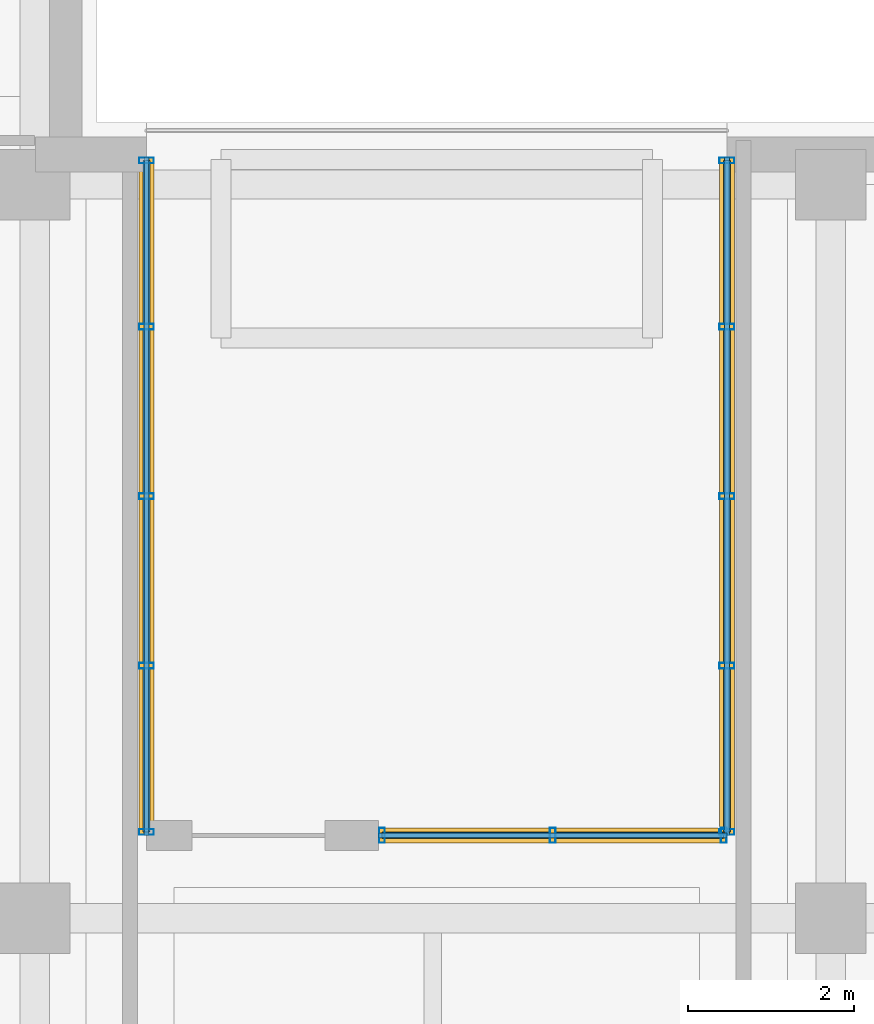
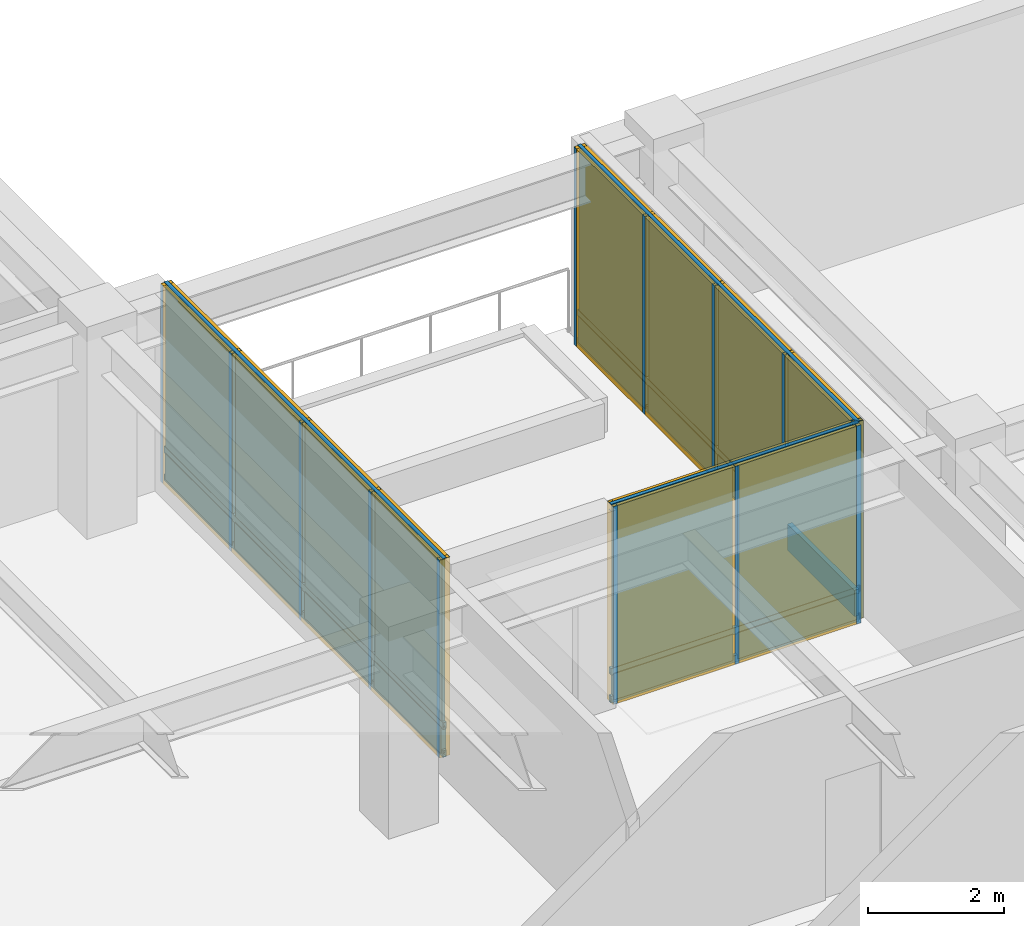
# One storey, part 9 of 14: 22 members, 20 plates, 3 curtain walls.
"""IFC4 building model written with IfcOpenShell, lengths in metres."""

import ifcopenshell
import ifcopenshell.guid

model = None  # the IFC model being written
_history = None  # IfcOwnerHistory: only IFC2X3 demands one
_inside = {}  # id of a spatial element -> (the spatial element, [elements in it])
_under = {}  # id of a project, library or spatial element -> (it, [spatial elements below it])
_declared = {}  # id of a project -> (the project, [libraries it declares])
_typed = {}  # id of a type object -> (the type object, [elements of that type])
_made_of = {}  # id of a material, layer set ... -> (it, [elements and type objects made of it])


def new_model(schema):
    """Start an empty IFC model of exactly this schema.

    Asked for "IFC4X3", IfcOpenShell would pick the latest addendum, in which some entities
    have other attributes; the version numbers below select the first issue.
    IFC2X3 requires an IfcOwnerHistory on every rooted entity: one is made here for all.
    """
    global model, _history
    if schema == "IFC4X3":
        model = ifcopenshell.file(schema_version=(4, 3, 0, 0))
    else:
        model = ifcopenshell.file(schema=schema)
    _inside.clear()
    _under.clear()
    _declared.clear()
    _typed.clear()
    _made_of.clear()
    _history = None
    if model.schema == "IFC2X3":
        org = make("IfcOrganization", Name="unknown")
        user = make(
            "IfcPersonAndOrganization",
            ThePerson=make("IfcPerson", FamilyName="unknown"),
            TheOrganization=org,
        )
        app = make(
            "IfcApplication",
            ApplicationDeveloper=org,
            Version="unknown",
            ApplicationFullName="unknown",
            ApplicationIdentifier="unknown",
        )
        _history = make(
            "IfcOwnerHistory",
            OwningUser=user,
            OwningApplication=app,
            ChangeAction="ADDED",
            CreationDate=0,
        )
    return model


def make(cls, **values):
    """One entity of the class cls with the attributes given. An attribute that is None is left unset."""
    return model.create_entity(
        cls, **{name: value for name, value in values.items() if value is not None}
    )


def rooted(cls, **values):
    """An entity with a GlobalId (a new one), such as an element, a storey or a relation."""
    return make(cls, GlobalId=ifcopenshell.guid.new(), OwnerHistory=_history, **values)


def si_unit(unit_type, name, prefix=None):
    """IfcSIUnit, for example si_unit("LENGTHUNIT", "METRE", prefix="MILLI")."""
    return make("IfcSIUnit", UnitType=unit_type, Prefix=prefix, Name=name)


def assignment(units):
    """IfcUnitAssignment: the units of a project."""
    return None if units is None else make("IfcUnitAssignment", Units=units)


def point(xyz):
    """IfcCartesianPoint."""
    return None if xyz is None else make("IfcCartesianPoint", Coordinates=xyz)


def direction(xyz):
    """IfcDirection."""
    return None if xyz is None else make("IfcDirection", DirectionRatios=xyz)


def frame(location, z_axis=None, x_axis=None):
    """IfcAxis2Placement3D, a coordinate frame: its origin and axes. An axis left out is left unset."""
    return make(
        "IfcAxis2Placement3D",
        Location=point(location),
        Axis=direction(z_axis),
        RefDirection=direction(x_axis),
    )


def frame_2d(location, x_axis=None):
    """IfcAxis2Placement2D, a coordinate frame in the plane: its origin and x axis."""
    return make(
        "IfcAxis2Placement2D", Location=point(location), RefDirection=direction(x_axis)
    )


def origin():
    """The frame at (0, 0, 0) with its axes left unset."""
    return frame((0.0, 0.0, 0.0))


def origin_2d():
    """The frame at (0, 0) in the plane with its x axis left unset."""
    return frame_2d((0.0, 0.0))


def place(relative_to, where):
    """IfcLocalPlacement: puts the frame where relative to a parent placement (None: the world)."""
    return make(
        "IfcLocalPlacement", PlacementRelTo=relative_to, RelativePlacement=where
    )


def context(
    kind, dimensions, precision=None, world=None, true_north=None, identifier=None
):
    """IfcGeometricRepresentationContext, for example the 3D "Model" context."""
    return make(
        "IfcGeometricRepresentationContext",
        ContextIdentifier=identifier,
        ContextType=kind,
        CoordinateSpaceDimension=dimensions,
        Precision=precision,
        WorldCoordinateSystem=world,
        TrueNorth=true_north,
    )


def subcontext(parent, identifier, kind, view, scale=None):
    """IfcGeometricRepresentationSubContext, for example "Body" below "Model"."""
    return make(
        "IfcGeometricRepresentationSubContext",
        ContextIdentifier=identifier,
        ContextType=kind,
        ParentContext=parent,
        TargetScale=scale,
        TargetView=view,
    )


def project(units=None, contexts=None):
    """IfcProject with its units and contexts."""
    return rooted(
        "IfcProject",
        Name="project",
        RepresentationContexts=contexts,
        UnitsInContext=assignment(units),
    )


def spatial(cls, under=None, at=None, **own):
    """A site, building, storey or space (cls), placed at a placement, below another one or the project."""
    s = rooted(cls, ObjectPlacement=at, **own)
    if under is not None:
        _under.setdefault(under.id(), (under, []))[1].append(s)
    return s


def profile(cls, at=None, kind="AREA", **sizes):
    """A parametric profile (cls). Its sizes go by their IFC names, for example OverallWidth=200.0."""
    return make(cls, ProfileType=kind, Position=at, **sizes)


def rectangle(**sizes):
    """IfcRectangleProfileDef."""
    return profile("IfcRectangleProfileDef", **sizes)


def hollow_rectangle(**sizes):
    """IfcRectangleHollowProfileDef."""
    return profile("IfcRectangleHollowProfileDef", **sizes)


def extrude(swept, where, along, depth):
    """IfcExtrudedAreaSolid: the profile swept, set in the frame where, extruded along a direction by depth."""
    return make(
        "IfcExtrudedAreaSolid",
        SweptArea=swept,
        Position=where,
        ExtrudedDirection=direction(along),
        Depth=depth,
    )


def shape(context_of_items, identifier, shape_type, items):
    """IfcShapeRepresentation: the items that make up one representation, for example the "Body"."""
    return make(
        "IfcShapeRepresentation",
        ContextOfItems=context_of_items,
        RepresentationIdentifier=identifier,
        RepresentationType=shape_type,
        Items=items,
    )


def material(Name=None, Category=None):
    """IfcMaterial."""
    return make("IfcMaterial", Name=Name, Category=Category)


def layer(
    of_material, thickness, ventilated=None, Name=None, Category=None, Priority=None
):
    """IfcMaterialLayer: one layer of a wall or slab, of a material (None: an air gap)."""
    return make(
        "IfcMaterialLayer",
        Material=of_material,
        LayerThickness=thickness,
        IsVentilated=ventilated,
        Name=Name,
        Category=Category,
        Priority=Priority,
    )


def layer_set(layers, Name=None):
    """IfcMaterialLayerSet."""
    return make("IfcMaterialLayerSet", MaterialLayers=layers, LayerSetName=Name)


def material_profile(
    of_material, cross_section, Name=None, Category=None, Priority=None
):
    """IfcMaterialProfile: a cross section and its material."""
    return make(
        "IfcMaterialProfile",
        Name=Name,
        Material=of_material,
        Profile=cross_section,
        Priority=Priority,
        Category=Category,
    )


def profile_set(profiles, Name=None, composite=None):
    """IfcMaterialProfileSet."""
    return make(
        "IfcMaterialProfileSet",
        Name=Name,
        MaterialProfiles=profiles,
        CompositeProfile=composite,
    )


def made_of(thing, what):
    """Note that an element or type object is made of a material, layer set ...; save() writes the relation."""
    if what is not None:
        _made_of.setdefault(what.id(), (what, []))[1].append(thing)
    return thing


def type_object(cls, material=None, **own):
    """A type object (cls), such as IfcWallType, which elements share."""
    return made_of(rooted(cls, **own), material)


def element(
    cls,
    number,
    at=None,
    inside=None,
    cuts=None,
    type_object=None,
    material=None,
    context=None,
    identifier="Body",
    shape_type=None,
    held_by="IfcProductDefinitionShape",
    body=None,
    shapes=None,
    **own,
):
    """One element of the class cls, such as IfcWall. Its Tag is "e" and its number.

    at: its placement. inside: the storey or other place that contains it. cuts: it is an
    opening in that element (IfcRelVoidsElement). A single representation is given by context,
    identifier, shape_type and body (its items); several are given by shapes. held_by: the class
    of the entity that holds the representations. save() writes the other relations.
    """
    e = rooted(cls, Tag="e%d" % number, ObjectPlacement=at, **own)
    if body is not None:
        shapes = [shape(context, identifier, shape_type, body)]
    if shapes is not None:
        e.Representation = make(held_by, Representations=shapes)
    if inside is not None:
        _inside.setdefault(inside.id(), (inside, []))[1].append(e)
    if cuts is not None:
        rooted(
            "IfcRelVoidsElement", RelatingBuildingElement=cuts, RelatedOpeningElement=e
        )
    if type_object is not None:
        _typed.setdefault(type_object.id(), (type_object, []))[1].append(e)
    return made_of(e, material)


def aggregate(whole, parts):
    """IfcRelAggregates: a whole, such as a stair, and the parts it consists of."""
    return rooted("IfcRelAggregates", RelatingObject=whole, RelatedObjects=parts)


def save(model, path):
    """Write the relations noted so far, then the file.

    IfcRelAggregates (storeys below a building ...), IfcRelContainedInSpatialStructure (elements
    in a storey), IfcRelDefinesByType, IfcRelAssociatesMaterial and IfcRelDeclares: one each for
    every whole, place, type object, material and project.
    """
    for whole, parts in _under.values():
        aggregate(whole, parts)
    for where, things in _inside.values():
        rooted(
            "IfcRelContainedInSpatialStructure",
            RelatedElements=things,
            RelatingStructure=where,
        )
    for kind, things in _typed.values():
        rooted("IfcRelDefinesByType", RelatedObjects=things, RelatingType=kind)
    for what, things in _made_of.values():
        rooted("IfcRelAssociatesMaterial", RelatedObjects=things, RelatingMaterial=what)
    for by, libraries in _declared.values():
        rooted("IfcRelDeclares", RelatingContext=by, RelatedDefinitions=libraries)
    model.write(path)


model = new_model("IFC4")

# Units and contexts
model_context = context("Model", 3, precision=1e-05, world=origin(), true_north=direction((0.0, 1.0)))
body_context = subcontext(model_context, "Body", "Model", "MODEL_VIEW")
ifc_project = project(units=[si_unit("LENGTHUNIT", "METRE"), si_unit("AREAUNIT", "SQUARE_METRE"), si_unit("VOLUMEUNIT", "CUBIC_METRE"), si_unit("PLANEANGLEUNIT", "RADIAN"), si_unit("MASSUNIT", "GRAM", prefix="KILO")], contexts=[model_context])

# Member
ifc_material_1 = material(Name="Anodized Aluminium 6063-T6", Category="aluminium")
ifc_material_profile_1 = material_profile(ifc_material_1, hollow_rectangle(XDim=0.070068359375, YDim=0.179931640625, WallThickness=0.00390625, at=origin_2d()), Name="Anodized Aluminium 6063-T6")
ifc_profile_set_1 = profile_set([ifc_material_profile_1], Name="Anodized Aluminium 6063-T6")
member_type_1 = type_object("IfcMemberType", Name="Curtain Wall Mullion 180", PredefinedType="MULLION", material=ifc_profile_set_1)
site_placement = place(None, origin())
building_placement = place(site_placement, origin())
storey_placement = place(building_placement, frame((0.0, 0.0, 221.800048828125)))
member_1_placement = place(storey_placement, frame((39.0, 29.840087890625, 0.0), z_axis=(0.0, 0.0, 1.0), x_axis=(0.0, 1.0, 0.0)))
member_1 = element("IfcMember", 1, at=member_1_placement, type_object=member_type_1, Name="Curtain Wall Mullion CW-L56-SGW-M01", PredefinedType="MULLION", context=body_context, shape_type="SweptSolid", body=[
    extrude(hollow_rectangle(XDim=0.070068359375, YDim=0.179931640625, WallThickness=0.00390625, at=origin_2d()), origin(), (0.0, 0.0, 1.0), 3.5400390625),
])

member_2_placement = place(storey_placement, frame((39.0, 31.844970703125, 0.0), z_axis=(0.0, 0.0, 1.0), x_axis=(0.0, 1.0, 0.0)))
member_2 = element("IfcMember", 2, at=member_2_placement, type_object=member_type_1, Name="Curtain Wall Mullion CW-L56-SGW-M02", PredefinedType="MULLION", context=body_context, shape_type="SweptSolid", body=[
    extrude(hollow_rectangle(XDim=0.070068359375, YDim=0.179931640625, WallThickness=0.00390625, at=origin_2d()), origin(), (0.0, 0.0, 1.0), 3.5400390625),
])

member_3_placement = place(storey_placement, frame((39.0, 33.889892578125, 0.0), z_axis=(0.0, 0.0, 1.0), x_axis=(0.0, 1.0, 0.0)))
member_3 = element("IfcMember", 3, at=member_3_placement, type_object=member_type_1, Name="Curtain Wall Mullion CW-L56-SGW-M03", PredefinedType="MULLION", context=body_context, shape_type="SweptSolid", body=[
    extrude(hollow_rectangle(XDim=0.070068359375, YDim=0.179931640625, WallThickness=0.00390625, at=origin_2d()), origin(), (0.0, 0.0, 1.0), 3.5400390625),
])

member_4_placement = place(storey_placement, frame((39.0, 35.93505859375, 0.0), z_axis=(0.0, 0.0, 1.0), x_axis=(0.0, 1.0, 0.0)))
member_4 = element("IfcMember", 4, at=member_4_placement, type_object=member_type_1, Name="Curtain Wall Mullion CW-L56-SGW-M04", PredefinedType="MULLION", context=body_context, shape_type="SweptSolid", body=[
    extrude(hollow_rectangle(XDim=0.070068359375, YDim=0.179931640625, WallThickness=0.00390625, at=origin_2d()), origin(), (0.0, 0.0, 1.0), 3.5400390625),
])

member_5_placement = place(storey_placement, frame((39.0, 37.93994140625, 0.0), z_axis=(0.0, 0.0, 1.0), x_axis=(0.0, 1.0, 0.0)))
member_5 = element("IfcMember", 5, at=member_5_placement, type_object=member_type_1, Name="Curtain Wall Mullion CW-L56-SGW-M05", PredefinedType="MULLION", context=body_context, shape_type="SweptSolid", body=[
    extrude(hollow_rectangle(XDim=0.070068359375, YDim=0.179931640625, WallThickness=0.00390625, at=origin_2d()), origin(), (0.0, 0.0, 1.0), 3.5400390625),
])

member_6_placement = place(storey_placement, frame((46.0, 29.840087890625, 0.0), z_axis=(0.0, 0.0, 1.0), x_axis=(0.0, 1.0, 0.0)))
member_6 = element("IfcMember", 6, at=member_6_placement, type_object=member_type_1, Name="Curtain Wall Mullion CW-L56-SGE-M01", PredefinedType="MULLION", context=body_context, shape_type="SweptSolid", body=[
    extrude(hollow_rectangle(XDim=0.070068359375, YDim=0.179931640625, WallThickness=0.00390625, at=origin_2d()), origin(), (0.0, 0.0, 1.0), 3.5400390625),
])

member_7_placement = place(storey_placement, frame((46.0, 31.844970703125, 0.0), z_axis=(0.0, 0.0, 1.0), x_axis=(0.0, 1.0, 0.0)))
member_7 = element("IfcMember", 7, at=member_7_placement, type_object=member_type_1, Name="Curtain Wall Mullion CW-L56-SGE-M02", PredefinedType="MULLION", context=body_context, shape_type="SweptSolid", body=[
    extrude(hollow_rectangle(XDim=0.070068359375, YDim=0.179931640625, WallThickness=0.00390625, at=origin_2d()), origin(), (0.0, 0.0, 1.0), 3.5400390625),
])

member_8_placement = place(storey_placement, frame((46.0, 33.889892578125, 0.0), z_axis=(0.0, 0.0, 1.0), x_axis=(0.0, 1.0, 0.0)))
member_8 = element("IfcMember", 8, at=member_8_placement, type_object=member_type_1, Name="Curtain Wall Mullion CW-L56-SGE-M03", PredefinedType="MULLION", context=body_context, shape_type="SweptSolid", body=[
    extrude(hollow_rectangle(XDim=0.070068359375, YDim=0.179931640625, WallThickness=0.00390625, at=origin_2d()), origin(), (0.0, 0.0, 1.0), 3.5400390625),
])

member_9_placement = place(storey_placement, frame((46.0, 35.93505859375, 0.0), z_axis=(0.0, 0.0, 1.0), x_axis=(0.0, 1.0, 0.0)))
member_9 = element("IfcMember", 9, at=member_9_placement, type_object=member_type_1, Name="Curtain Wall Mullion CW-L56-SGE-M04", PredefinedType="MULLION", context=body_context, shape_type="SweptSolid", body=[
    extrude(hollow_rectangle(XDim=0.070068359375, YDim=0.179931640625, WallThickness=0.00390625, at=origin_2d()), origin(), (0.0, 0.0, 1.0), 3.5400390625),
])

member_10_placement = place(storey_placement, frame((46.0, 37.93994140625, 0.0), z_axis=(0.0, 0.0, 1.0), x_axis=(0.0, 1.0, 0.0)))
member_10 = element("IfcMember", 10, at=member_10_placement, type_object=member_type_1, Name="Curtain Wall Mullion CW-L56-SGE-M05", PredefinedType="MULLION", context=body_context, shape_type="SweptSolid", body=[
    extrude(hollow_rectangle(XDim=0.070068359375, YDim=0.179931640625, WallThickness=0.00390625, at=origin_2d()), origin(), (0.0, 0.0, 1.0), 3.5400390625),
])

member_11_placement = place(storey_placement, frame((41.840087890625, 29.800048828125, 0.0), z_axis=(0.0, 0.0, 1.0), x_axis=(1.0, 0.0, 0.0)))
member_11 = element("IfcMember", 11, at=member_11_placement, type_object=member_type_1, Name="Curtain Wall Mullion CW-L56-SGS-M01", PredefinedType="MULLION", context=body_context, shape_type="SweptSolid", body=[
    extrude(hollow_rectangle(XDim=0.070068359375, YDim=0.179931640625, WallThickness=0.00390625, at=origin_2d()), origin(), (0.0, 0.0, 1.0), 3.5400390625),
])

member_12_placement = place(storey_placement, frame((43.89990234375, 29.800048828125, 0.0), z_axis=(0.0, 0.0, 1.0), x_axis=(1.0, 0.0, 0.0)))
member_12 = element("IfcMember", 12, at=member_12_placement, type_object=member_type_1, Name="Curtain Wall Mullion CW-L56-SGS-M02", PredefinedType="MULLION", context=body_context, shape_type="SweptSolid", body=[
    extrude(hollow_rectangle(XDim=0.070068359375, YDim=0.179931640625, WallThickness=0.00390625, at=origin_2d()), origin(), (0.0, 0.0, 1.0), 3.5400390625),
])

member_13_placement = place(storey_placement, frame((45.9599609375, 29.800048828125, 0.0), z_axis=(0.0, 0.0, 1.0), x_axis=(1.0, 0.0, 0.0)))
member_13 = element("IfcMember", 13, at=member_13_placement, type_object=member_type_1, Name="Curtain Wall Mullion CW-L56-SGS-M03", PredefinedType="MULLION", context=body_context, shape_type="SweptSolid", body=[
    extrude(hollow_rectangle(XDim=0.070068359375, YDim=0.179931640625, WallThickness=0.00390625, at=origin_2d()), origin(), (0.0, 0.0, 1.0), 3.5400390625),
])

ifc_material_profile_2 = material_profile(ifc_material_1, hollow_rectangle(XDim=0.06005859375, YDim=0.1201171875, WallThickness=0.00341796875, at=origin_2d()), Name="Anodized Aluminium 6063-T6")
ifc_profile_set_2 = profile_set([ifc_material_profile_2], Name="Anodized Aluminium 6063-T6")
member_type_2 = type_object("IfcMemberType", Name="Curtain Wall Transom 120", PredefinedType="USERDEFINED", material=ifc_profile_set_2)
member_14_placement = place(storey_placement, frame((39.0, 29.800048828125, 0.050048828125), z_axis=(0.0, 1.0, 0.0), x_axis=(-1.0, 0.0, 0.0)))
member_14 = element("IfcMember", 14, at=member_14_placement, type_object=member_type_2, Name="Curtain Wall Transom CW-L56-SGW-T01", ObjectType="TRANSOM", PredefinedType="USERDEFINED", context=body_context, shape_type="SweptSolid", body=[
    extrude(hollow_rectangle(XDim=0.06005859375, YDim=0.1201171875, WallThickness=0.00341796875, at=origin_2d()), origin(), (0.0, 0.0, 1.0), 8.179931640625),
])

member_15_placement = place(storey_placement, frame((39.0, 29.800048828125, 0.550048828125), z_axis=(0.0, 1.0, 0.0), x_axis=(-1.0, 0.0, 0.0)))
member_15 = element("IfcMember", 15, at=member_15_placement, type_object=member_type_2, Name="Curtain Wall Transom CW-L56-SGW-T02", ObjectType="TRANSOM", PredefinedType="USERDEFINED", context=body_context, shape_type="SweptSolid", body=[
    extrude(hollow_rectangle(XDim=0.06005859375, YDim=0.1201171875, WallThickness=0.00341796875, at=origin_2d()), origin(), (0.0, 0.0, 1.0), 8.179931640625),
])

member_16_placement = place(storey_placement, frame((39.0, 29.800048828125, 3.489990234375), z_axis=(0.0, 1.0, 0.0), x_axis=(-1.0, 0.0, 0.0)))
member_16 = element("IfcMember", 16, at=member_16_placement, type_object=member_type_2, Name="Curtain Wall Transom CW-L56-SGW-T03", ObjectType="TRANSOM", PredefinedType="USERDEFINED", context=body_context, shape_type="SweptSolid", body=[
    extrude(hollow_rectangle(XDim=0.06005859375, YDim=0.1201171875, WallThickness=0.00341796875, at=origin_2d()), origin(), (0.0, 0.0, 1.0), 8.179931640625),
])

member_17_placement = place(storey_placement, frame((46.0, 29.800048828125, 0.050048828125), z_axis=(0.0, 1.0, 0.0), x_axis=(-1.0, 0.0, 0.0)))
member_17 = element("IfcMember", 17, at=member_17_placement, type_object=member_type_2, Name="Curtain Wall Transom CW-L56-SGE-T01", ObjectType="TRANSOM", PredefinedType="USERDEFINED", context=body_context, shape_type="SweptSolid", body=[
    extrude(hollow_rectangle(XDim=0.06005859375, YDim=0.1201171875, WallThickness=0.00341796875, at=origin_2d()), origin(), (0.0, 0.0, 1.0), 8.179931640625),
])

member_18_placement = place(storey_placement, frame((46.0, 29.800048828125, 0.550048828125), z_axis=(0.0, 1.0, 0.0), x_axis=(-1.0, 0.0, 0.0)))
member_18 = element("IfcMember", 18, at=member_18_placement, type_object=member_type_2, Name="Curtain Wall Transom CW-L56-SGE-T02", ObjectType="TRANSOM", PredefinedType="USERDEFINED", context=body_context, shape_type="SweptSolid", body=[
    extrude(hollow_rectangle(XDim=0.06005859375, YDim=0.1201171875, WallThickness=0.00341796875, at=origin_2d()), origin(), (0.0, 0.0, 1.0), 8.179931640625),
])

member_19_placement = place(storey_placement, frame((46.0, 29.800048828125, 3.489990234375), z_axis=(0.0, 1.0, 0.0), x_axis=(-1.0, 0.0, 0.0)))
member_19 = element("IfcMember", 19, at=member_19_placement, type_object=member_type_2, Name="Curtain Wall Transom CW-L56-SGE-T03", ObjectType="TRANSOM", PredefinedType="USERDEFINED", context=body_context, shape_type="SweptSolid", body=[
    extrude(hollow_rectangle(XDim=0.06005859375, YDim=0.1201171875, WallThickness=0.00341796875, at=origin_2d()), origin(), (0.0, 0.0, 1.0), 8.179931640625),
])

member_20_placement = place(storey_placement, frame((41.800048828125, 29.800048828125, 0.050048828125), z_axis=(1.0, 0.0, 0.0), x_axis=(0.0, 1.0, 0.0)))
member_20 = element("IfcMember", 20, at=member_20_placement, type_object=member_type_2, Name="Curtain Wall Transom CW-L56-SGS-T01", ObjectType="TRANSOM", PredefinedType="USERDEFINED", context=body_context, shape_type="SweptSolid", body=[
    extrude(hollow_rectangle(XDim=0.06005859375, YDim=0.1201171875, WallThickness=0.00341796875, at=origin_2d()), origin(), (0.0, 0.0, 1.0), 4.199951171875),
])

member_21_placement = place(storey_placement, frame((41.800048828125, 29.800048828125, 0.550048828125), z_axis=(1.0, 0.0, 0.0), x_axis=(0.0, 1.0, 0.0)))
member_21 = element("IfcMember", 21, at=member_21_placement, type_object=member_type_2, Name="Curtain Wall Transom CW-L56-SGS-T02", ObjectType="TRANSOM", PredefinedType="USERDEFINED", context=body_context, shape_type="SweptSolid", body=[
    extrude(hollow_rectangle(XDim=0.06005859375, YDim=0.1201171875, WallThickness=0.00341796875, at=origin_2d()), origin(), (0.0, 0.0, 1.0), 4.199951171875),
])

member_22_placement = place(storey_placement, frame((41.800048828125, 29.800048828125, 3.489990234375), z_axis=(1.0, 0.0, 0.0), x_axis=(0.0, 1.0, 0.0)))
member_22 = element("IfcMember", 22, at=member_22_placement, type_object=member_type_2, Name="Curtain Wall Transom CW-L56-SGS-T03", ObjectType="TRANSOM", PredefinedType="USERDEFINED", context=body_context, shape_type="SweptSolid", body=[
    extrude(hollow_rectangle(XDim=0.06005859375, YDim=0.1201171875, WallThickness=0.00341796875, at=origin_2d()), origin(), (0.0, 0.0, 1.0), 4.199951171875),
])

# Plate
ifc_material_2 = material(Name="Bird-Friendly Fritted Triple Glazing", Category="glass")
ifc_layer_1 = layer(ifc_material_2, 0.052001953125, Name="Bird-Friendly Fritted Triple Glazing")
ifc_layer_set_1 = layer_set([ifc_layer_1], Name="Bird-Friendly Fritted Triple Glazing")
plate_type_1 = type_object("IfcPlateType", Name="Plate CWGlazing 52", PredefinedType="CURTAIN_PANEL", material=ifc_layer_set_1)
plate_1_placement = place(storey_placement, frame((39.0, 30.822509765625, 0.58984375), z_axis=(0.0, 0.0, 1.0), x_axis=(0.0, 1.0, 0.0)))
plate_1 = element("IfcPlate", 23, at=plate_1_placement, type_object=plate_type_1, Name="Vision Glazing Panel CW-L56-SGW-GL01", PredefinedType="CURTAIN_PANEL", context=body_context, shape_type="SweptSolid", body=[
    extrude(rectangle(XDim=1.965087890625, YDim=0.052001953125, at=origin_2d()), origin(), (0.0, 0.0, 1.0), 2.909912109375),
])

plate_2_placement = place(storey_placement, frame((39.0, 32.867431640625, 0.58984375), z_axis=(0.0, 0.0, 1.0), x_axis=(0.0, 1.0, 0.0)))
plate_2 = element("IfcPlate", 24, at=plate_2_placement, type_object=plate_type_1, Name="Vision Glazing Panel CW-L56-SGW-GL02", PredefinedType="CURTAIN_PANEL", context=body_context, shape_type="SweptSolid", body=[
    extrude(rectangle(XDim=1.965087890625, YDim=0.052001953125, at=origin_2d()), origin(), (0.0, 0.0, 1.0), 2.909912109375),
])

plate_3_placement = place(storey_placement, frame((39.0, 34.91259765625, 0.58984375), z_axis=(0.0, 0.0, 1.0), x_axis=(0.0, 1.0, 0.0)))
plate_3 = element("IfcPlate", 25, at=plate_3_placement, type_object=plate_type_1, Name="Vision Glazing Panel CW-L56-SGW-GL03", PredefinedType="CURTAIN_PANEL", context=body_context, shape_type="SweptSolid", body=[
    extrude(rectangle(XDim=1.965087890625, YDim=0.052001953125, at=origin_2d()), origin(), (0.0, 0.0, 1.0), 2.909912109375),
])

plate_4_placement = place(storey_placement, frame((39.0, 36.95751953125, 0.58984375), z_axis=(0.0, 0.0, 1.0), x_axis=(0.0, 1.0, 0.0)))
plate_4 = element("IfcPlate", 26, at=plate_4_placement, type_object=plate_type_1, Name="Vision Glazing Panel CW-L56-SGW-GL04", PredefinedType="CURTAIN_PANEL", context=body_context, shape_type="SweptSolid", body=[
    extrude(rectangle(XDim=1.965087890625, YDim=0.052001953125, at=origin_2d()), origin(), (0.0, 0.0, 1.0), 2.909912109375),
])

plate_5_placement = place(storey_placement, frame((46.0, 30.822509765625, 0.58984375), z_axis=(0.0, 0.0, 1.0), x_axis=(0.0, 1.0, 0.0)))
plate_5 = element("IfcPlate", 27, at=plate_5_placement, type_object=plate_type_1, Name="Vision Glazing Panel CW-L56-SGE-GL01", PredefinedType="CURTAIN_PANEL", context=body_context, shape_type="SweptSolid", body=[
    extrude(rectangle(XDim=1.965087890625, YDim=0.052001953125, at=origin_2d()), origin(), (0.0, 0.0, 1.0), 2.909912109375),
])

plate_6_placement = place(storey_placement, frame((46.0, 32.867431640625, 0.58984375), z_axis=(0.0, 0.0, 1.0), x_axis=(0.0, 1.0, 0.0)))
plate_6 = element("IfcPlate", 28, at=plate_6_placement, type_object=plate_type_1, Name="Vision Glazing Panel CW-L56-SGE-GL02", PredefinedType="CURTAIN_PANEL", context=body_context, shape_type="SweptSolid", body=[
    extrude(rectangle(XDim=1.965087890625, YDim=0.052001953125, at=origin_2d()), origin(), (0.0, 0.0, 1.0), 2.909912109375),
])

plate_7_placement = place(storey_placement, frame((46.0, 34.91259765625, 0.58984375), z_axis=(0.0, 0.0, 1.0), x_axis=(0.0, 1.0, 0.0)))
plate_7 = element("IfcPlate", 29, at=plate_7_placement, type_object=plate_type_1, Name="Vision Glazing Panel CW-L56-SGE-GL03", PredefinedType="CURTAIN_PANEL", context=body_context, shape_type="SweptSolid", body=[
    extrude(rectangle(XDim=1.965087890625, YDim=0.052001953125, at=origin_2d()), origin(), (0.0, 0.0, 1.0), 2.909912109375),
])

plate_8_placement = place(storey_placement, frame((46.0, 36.95751953125, 0.58984375), z_axis=(0.0, 0.0, 1.0), x_axis=(0.0, 1.0, 0.0)))
plate_8 = element("IfcPlate", 30, at=plate_8_placement, type_object=plate_type_1, Name="Vision Glazing Panel CW-L56-SGE-GL04", PredefinedType="CURTAIN_PANEL", context=body_context, shape_type="SweptSolid", body=[
    extrude(rectangle(XDim=1.965087890625, YDim=0.052001953125, at=origin_2d()), origin(), (0.0, 0.0, 1.0), 2.909912109375),
])

plate_9_placement = place(storey_placement, frame((42.85009765625, 29.800048828125, 0.58984375), z_axis=(0.0, 0.0, 1.0), x_axis=(1.0, 0.0, 0.0)))
plate_9 = element("IfcPlate", 31, at=plate_9_placement, type_object=plate_type_1, Name="Vision Glazing Panel CW-L56-SGS-GL01", PredefinedType="CURTAIN_PANEL", context=body_context, shape_type="SweptSolid", body=[
    extrude(rectangle(XDim=2.02001953125, YDim=0.052001953125, at=origin_2d()), origin(), (0.0, 0.0, 1.0), 2.909912109375),
])

plate_10_placement = place(storey_placement, frame((44.949951171875, 29.800048828125, 0.58984375), z_axis=(0.0, 0.0, 1.0), x_axis=(1.0, 0.0, 0.0)))
plate_10 = element("IfcPlate", 32, at=plate_10_placement, type_object=plate_type_1, Name="Vision Glazing Panel CW-L56-SGS-GL02", PredefinedType="CURTAIN_PANEL", context=body_context, shape_type="SweptSolid", body=[
    extrude(rectangle(XDim=2.02001953125, YDim=0.052001953125, at=origin_2d()), origin(), (0.0, 0.0, 1.0), 2.909912109375),
])

ifc_material_3 = material(Name="Insulated Aluminium Spandrel Panel", Category="aluminium")
ifc_layer_2 = layer(ifc_material_3, 0.080078125, Name="Insulated Aluminium Spandrel Panel")
ifc_layer_set_2 = layer_set([ifc_layer_2], Name="Insulated Aluminium Spandrel Panel")
plate_type_2 = type_object("IfcPlateType", Name="Plate CWSpandrel 80", PredefinedType="SHEET", material=ifc_layer_set_2)
plate_11_placement = place(storey_placement, frame((39.0, 30.822509765625, 0.0400390625), z_axis=(0.0, 0.0, 1.0), x_axis=(0.0, 1.0, 0.0)))
plate_11 = element("IfcPlate", 33, at=plate_11_placement, type_object=plate_type_2, Name="Spandrel Panel CW-L56-SGW-SP01", PredefinedType="SHEET", context=body_context, shape_type="SweptSolid", body=[
    extrude(rectangle(XDim=1.965087890625, YDim=0.080078125, at=origin_2d()), origin(), (0.0, 0.0, 1.0), 0.469970703125),
])

plate_12_placement = place(storey_placement, frame((39.0, 32.867431640625, 0.0400390625), z_axis=(0.0, 0.0, 1.0), x_axis=(0.0, 1.0, 0.0)))
plate_12 = element("IfcPlate", 34, at=plate_12_placement, type_object=plate_type_2, Name="Spandrel Panel CW-L56-SGW-SP02", PredefinedType="SHEET", context=body_context, shape_type="SweptSolid", body=[
    extrude(rectangle(XDim=1.965087890625, YDim=0.080078125, at=origin_2d()), origin(), (0.0, 0.0, 1.0), 0.469970703125),
])

plate_13_placement = place(storey_placement, frame((39.0, 34.91259765625, 0.0400390625), z_axis=(0.0, 0.0, 1.0), x_axis=(0.0, 1.0, 0.0)))
plate_13 = element("IfcPlate", 35, at=plate_13_placement, type_object=plate_type_2, Name="Spandrel Panel CW-L56-SGW-SP03", PredefinedType="SHEET", context=body_context, shape_type="SweptSolid", body=[
    extrude(rectangle(XDim=1.965087890625, YDim=0.080078125, at=origin_2d()), origin(), (0.0, 0.0, 1.0), 0.469970703125),
])

plate_14_placement = place(storey_placement, frame((39.0, 36.95751953125, 0.0400390625), z_axis=(0.0, 0.0, 1.0), x_axis=(0.0, 1.0, 0.0)))
plate_14 = element("IfcPlate", 36, at=plate_14_placement, type_object=plate_type_2, Name="Spandrel Panel CW-L56-SGW-SP04", PredefinedType="SHEET", context=body_context, shape_type="SweptSolid", body=[
    extrude(rectangle(XDim=1.965087890625, YDim=0.080078125, at=origin_2d()), origin(), (0.0, 0.0, 1.0), 0.469970703125),
])

plate_15_placement = place(storey_placement, frame((46.0, 30.822509765625, 0.0400390625), z_axis=(0.0, 0.0, 1.0), x_axis=(0.0, 1.0, 0.0)))
plate_15 = element("IfcPlate", 37, at=plate_15_placement, type_object=plate_type_2, Name="Spandrel Panel CW-L56-SGE-SP01", PredefinedType="SHEET", context=body_context, shape_type="SweptSolid", body=[
    extrude(rectangle(XDim=1.965087890625, YDim=0.080078125, at=origin_2d()), origin(), (0.0, 0.0, 1.0), 0.469970703125),
])

plate_16_placement = place(storey_placement, frame((46.0, 32.867431640625, 0.0400390625), z_axis=(0.0, 0.0, 1.0), x_axis=(0.0, 1.0, 0.0)))
plate_16 = element("IfcPlate", 38, at=plate_16_placement, type_object=plate_type_2, Name="Spandrel Panel CW-L56-SGE-SP02", PredefinedType="SHEET", context=body_context, shape_type="SweptSolid", body=[
    extrude(rectangle(XDim=1.965087890625, YDim=0.080078125, at=origin_2d()), origin(), (0.0, 0.0, 1.0), 0.469970703125),
])

plate_17_placement = place(storey_placement, frame((46.0, 34.91259765625, 0.0400390625), z_axis=(0.0, 0.0, 1.0), x_axis=(0.0, 1.0, 0.0)))
plate_17 = element("IfcPlate", 39, at=plate_17_placement, type_object=plate_type_2, Name="Spandrel Panel CW-L56-SGE-SP03", PredefinedType="SHEET", context=body_context, shape_type="SweptSolid", body=[
    extrude(rectangle(XDim=1.965087890625, YDim=0.080078125, at=origin_2d()), origin(), (0.0, 0.0, 1.0), 0.469970703125),
])

plate_18_placement = place(storey_placement, frame((46.0, 36.95751953125, 0.0400390625), z_axis=(0.0, 0.0, 1.0), x_axis=(0.0, 1.0, 0.0)))
plate_18 = element("IfcPlate", 40, at=plate_18_placement, type_object=plate_type_2, Name="Spandrel Panel CW-L56-SGE-SP04", PredefinedType="SHEET", context=body_context, shape_type="SweptSolid", body=[
    extrude(rectangle(XDim=1.965087890625, YDim=0.080078125, at=origin_2d()), origin(), (0.0, 0.0, 1.0), 0.469970703125),
])

plate_19_placement = place(storey_placement, frame((42.85009765625, 29.800048828125, 0.0400390625), z_axis=(0.0, 0.0, 1.0), x_axis=(1.0, 0.0, 0.0)))
plate_19 = element("IfcPlate", 41, at=plate_19_placement, type_object=plate_type_2, Name="Spandrel Panel CW-L56-SGS-SP01", PredefinedType="SHEET", context=body_context, shape_type="SweptSolid", body=[
    extrude(rectangle(XDim=2.02001953125, YDim=0.080078125, at=origin_2d()), origin(), (0.0, 0.0, 1.0), 0.469970703125),
])

plate_20_placement = place(storey_placement, frame((44.949951171875, 29.800048828125, 0.0400390625), z_axis=(0.0, 0.0, 1.0), x_axis=(1.0, 0.0, 0.0)))
plate_20 = element("IfcPlate", 42, at=plate_20_placement, type_object=plate_type_2, Name="Spandrel Panel CW-L56-SGS-SP02", PredefinedType="SHEET", context=body_context, shape_type="SweptSolid", body=[
    extrude(rectangle(XDim=2.02001953125, YDim=0.080078125, at=origin_2d()), origin(), (0.0, 0.0, 1.0), 0.469970703125),
])

# Site, building, storey
site = spatial("IfcSite", under=ifc_project, at=site_placement, CompositionType="ELEMENT")
building = spatial("IfcBuilding", under=site, at=building_placement, Name="Norrvale University Quadrangle", CompositionType="ELEMENT")
storey = spatial("IfcBuildingStorey", under=building, at=storey_placement, Name="L56", CompositionType="ELEMENT", Elevation=221.800048828125)

# Curtain wall
ifc_material_4 = material(Name="Anodized Aluminium and Triple Glazing", Category="glass")
curtain_wall_type = type_object("IfcCurtainWallType", Name="Curtain Wall System 2 Sky Garden", PredefinedType="NOTDEFINED", material=ifc_material_4)
curtain_wall_1_placement = place(storey_placement, frame((39.0, 29.800048828125, 0.0), z_axis=(0.0, 0.0, 1.0), x_axis=(0.0, 1.0, 0.0)))
curtain_wall_1 = element("IfcCurtainWall", 43, at=curtain_wall_1_placement, inside=storey, type_object=curtain_wall_type, Name="Curtain Wall CW System 2 Sky Garden CW-L56-SGW", PredefinedType="NOTDEFINED", context=body_context, shape_type="SweptSolid", body=[
    extrude(rectangle(XDim=8.179931640625, YDim=0.179931640625, at=frame_2d((4.08984375, 0.0))), origin(), (0.0, 0.0, 1.0), 3.5400390625),
])

aggregate(curtain_wall_1, [member_1, member_2, member_3, member_4, member_5, member_14, member_15, member_16, plate_11, plate_1, plate_12, plate_2, plate_13, plate_3, plate_14, plate_4])

curtain_wall_2_placement = place(storey_placement, frame((46.0, 29.800048828125, 0.0), z_axis=(0.0, 0.0, 1.0), x_axis=(0.0, 1.0, 0.0)))
curtain_wall_2 = element("IfcCurtainWall", 44, at=curtain_wall_2_placement, inside=storey, type_object=curtain_wall_type, Name="Curtain Wall CW System 2 Sky Garden CW-L56-SGE", PredefinedType="NOTDEFINED", context=body_context, shape_type="SweptSolid", body=[
    extrude(rectangle(XDim=8.179931640625, YDim=0.179931640625, at=frame_2d((4.08984375, 0.0))), origin(), (0.0, 0.0, 1.0), 3.5400390625),
])

aggregate(curtain_wall_2, [member_6, member_7, member_8, member_9, member_10, member_17, member_18, member_19, plate_15, plate_5, plate_16, plate_6, plate_17, plate_7, plate_18, plate_8])

curtain_wall_3_placement = place(storey_placement, frame((41.800048828125, 29.800048828125, 0.0), z_axis=(0.0, 0.0, 1.0), x_axis=(1.0, 0.0, 0.0)))
curtain_wall_3 = element("IfcCurtainWall", 45, at=curtain_wall_3_placement, inside=storey, type_object=curtain_wall_type, Name="Curtain Wall CW System 2 Sky Garden CW-L56-SGS", PredefinedType="NOTDEFINED", context=body_context, shape_type="SweptSolid", body=[
    extrude(rectangle(XDim=4.199951171875, YDim=0.179931640625, at=frame_2d((2.10009765625, 0.0))), origin(), (0.0, 0.0, 1.0), 3.5400390625),
])

aggregate(curtain_wall_3, [member_11, member_12, member_13, member_20, member_21, member_22, plate_19, plate_9, plate_20, plate_10])

save(model, "model.ifc")
